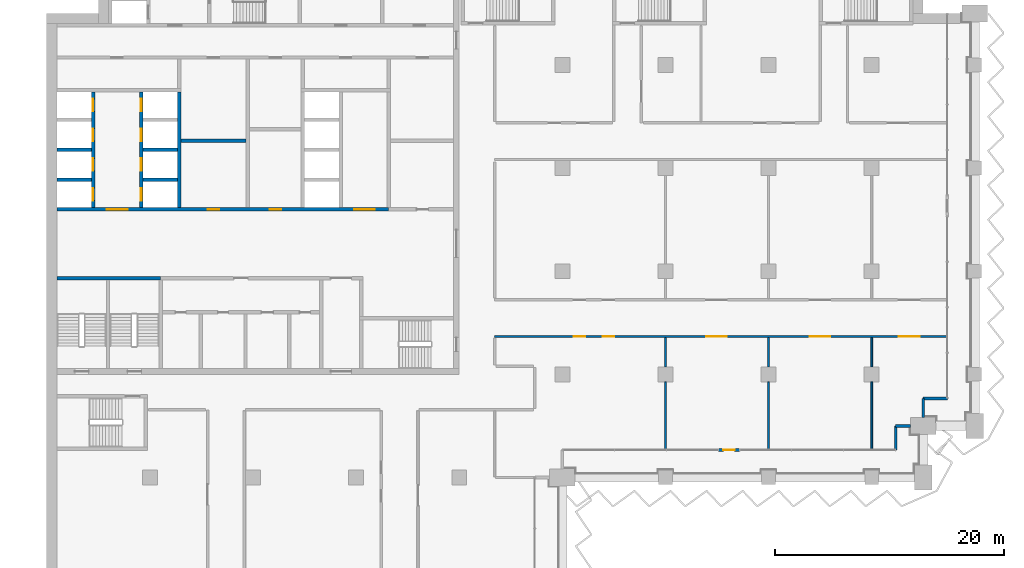
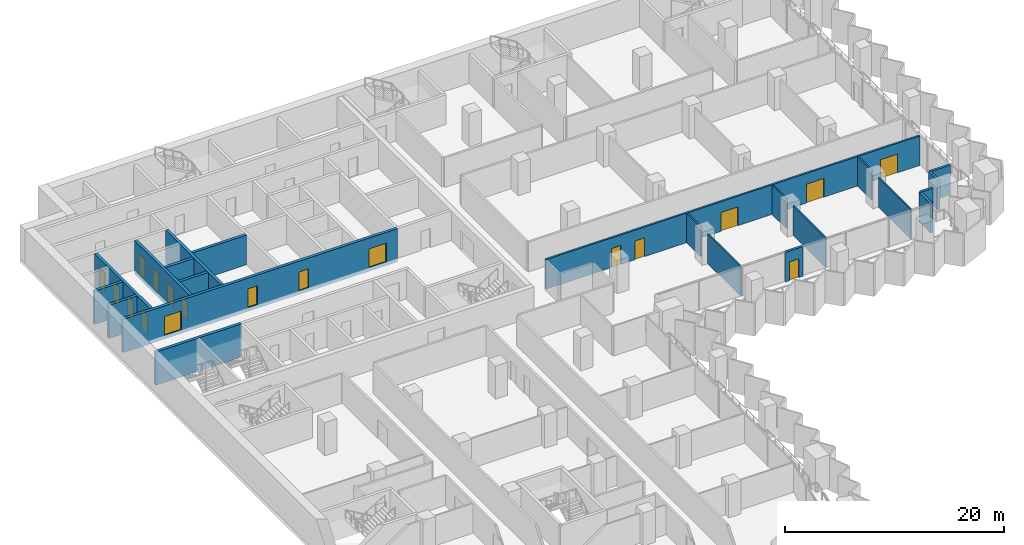
# One storey, part 12 of 22: 22 walls, 18 doors, 18 openings.
"""IFC4 building model written with IfcOpenShell, lengths in metres."""

from ifc_helpers import new_model, si_unit, direction, frame, frame_2d, origin, place, context, subcontext, project, spatial, rectangle, extrude, material, layer, layer_set, type_object, element, fill, save


model = new_model("IFC4")

# Units and contexts
model_context = context("Model", 3, precision=1e-05, world=origin(), true_north=direction((0.0, 1.0)))
body_context = subcontext(model_context, "Body", "Model", "MODEL_VIEW")
ifc_project = project(units=[si_unit("LENGTHUNIT", "METRE"), si_unit("AREAUNIT", "SQUARE_METRE"), si_unit("VOLUMEUNIT", "CUBIC_METRE"), si_unit("PLANEANGLEUNIT", "RADIAN"), si_unit("MASSUNIT", "GRAM", prefix="KILO")], contexts=[model_context])

# Site, building, storey
site_placement = place(None, origin())
site = spatial("IfcSite", under=ifc_project, at=site_placement, CompositionType="ELEMENT")
building_placement = place(site_placement, origin())
building = spatial("IfcBuilding", under=site, at=building_placement, Name="Hunhe Ridgeline Campus", CompositionType="ELEMENT")
storey_placement = place(building_placement, frame((0.0, 0.0, 118.10009765625)))
storey = spatial("IfcBuildingStorey", under=building, at=storey_placement, Name="L29", CompositionType="ELEMENT", Elevation=118.10009765625)

# Walls
ifc_material_1 = material(Name="Masonry concrete blockwork", Category="masonry")
ifc_layer_1 = layer(ifc_material_1, 0.300048828125)
ifc_layer_set_1 = layer_set([ifc_layer_1], Name="Core room partition 300 concrete block")
wall_type_1 = type_object("IfcWallType", Name="Core room partition 300 concrete block", PredefinedType="PARTITIONING", material=ifc_layer_set_1)
wall_1_placement = place(storey_placement, frame((11.699951171875, 83.39990234375, 0.0), z_axis=(0.0, 0.0, 1.0), x_axis=(1.0, 0.0, 0.0)))
element("IfcWall", 1, at=wall_1_placement, inside=storey, type_object=wall_type_1, Name="L29 core partition 20", PredefinedType="PARTITIONING", context=body_context, shape_type="SweptSolid", body=[
    extrude(rectangle(XDim=5.699951171875, YDim=0.300048828125, at=frame_2d((2.85009765625, 0.0))), origin(), (0.0, 0.0, 1.0), 3.2998046875),
])
ifc_material_2 = material(Name="Concrete C30", Category="concrete")
ifc_layer_2 = layer(ifc_material_2, 0.25)
ifc_layer_set_2 = layer_set([ifc_layer_2], Name="Corner return wall 250 Concrete C30")
wall_type_2 = type_object("IfcWallType", Name="Corner return wall 250 Concrete C30", PredefinedType="SOLIDWALL", material=ifc_layer_set_2)
wall_2_placement = place(storey_placement, frame((74.09912109375, 56.40087890625, 0.0), z_axis=(0.0, 0.0, 1.0), x_axis=(0.00011626555, 0.999999993241, 0.0)))
element("IfcWall", 2, at=wall_2_placement, inside=storey, type_object=wall_type_2, Name="Corner return wall 4", PredefinedType="SOLIDWALL", context=body_context, shape_type="SweptSolid", body=[
    extrude(rectangle(XDim=2.099853515625, YDim=0.25, at=frame_2d((1.0498046875, 0.0))), origin(), (0.0, 0.0, 1.0), 3.2998046875),
])
wall_3_placement = place(storey_placement, frame((74.099365234375, 58.500732421875, 0.0), z_axis=(0.0, 0.0, 1.0), x_axis=(0.99999998238, 0.000187722918, 0.0)))
element("IfcWall", 3, at=wall_3_placement, inside=storey, type_object=wall_type_2, Name="Corner return wall 5", PredefinedType="SOLIDWALL", context=body_context, shape_type="SweptSolid", body=[
    extrude(rectangle(XDim=1.300537109375, YDim=0.25, at=frame_2d((0.650390625, 0.0))), origin(), (0.0, 0.0, 1.0), 3.2998046875),
])
wall_4_placement = place(storey_placement, frame((76.4990234375, 59.25, 0.0), z_axis=(0.0, 0.0, 1.0), x_axis=(0.000147907113, 0.999999989062, 0.0)))
element("IfcWall", 4, at=wall_4_placement, inside=storey, type_object=wall_type_2, Name="Corner return wall 6", PredefinedType="SOLIDWALL", context=body_context, shape_type="SweptSolid", body=[
    extrude(rectangle(XDim=1.650634765625, YDim=0.25, at=frame_2d((0.8251953125, 0.0))), origin(), (0.0, 0.0, 1.0), 3.2998046875),
])
wall_5_placement = place(storey_placement, frame((76.499267578125, 60.900634765625, 0.0), z_axis=(0.0, 0.0, 1.0), x_axis=(0.999999993241, 0.00011626555, 0.0)))
element("IfcWall", 5, at=wall_5_placement, inside=storey, type_object=wall_type_2, Name="Corner return wall 7", PredefinedType="SOLIDWALL", context=body_context, shape_type="SweptSolid", body=[
    extrude(rectangle(XDim=2.099853515625, YDim=0.25, at=frame_2d((1.0498046875, 0.0))), origin(), (0.0, 0.0, 1.0), 3.2998046875),
])

# Wall, openings, doors
ifc_material_3 = material(Name="Gypsum board partition")
ifc_layer_3 = layer(ifc_material_3, 0.199951171875)
ifc_layer_set_3 = layer_set([ifc_layer_3], Name="Corridor partition 200 gypsum board on steel studs")
wall_type_3 = type_object("IfcWallType", Name="Corridor partition 200 gypsum board on steel studs", PredefinedType="PARTITIONING", material=ifc_layer_set_3)
wall_6_placement = place(storey_placement, frame((78.544921875, 66.300048828125, 0.0), z_axis=(0.0, 0.0, 1.0), x_axis=(-1.0, 0.0, 0.0)))
wall_6 = element("IfcWall", 6, at=wall_6_placement, inside=storey, type_object=wall_type_3, Name="F-L29-wall-035", PredefinedType="PARTITIONING", context=body_context, shape_type="SweptSolid", body=[
    extrude(rectangle(XDim=39.44482421875, YDim=0.199951171875, at=frame_2d((19.722412109375, 0.0))), origin(), (0.0, 0.0, 1.0), 3.2998046875),
])
opening_1_placement = place(wall_6_placement, frame((31.533447265625, 0.0, 0.0)))
opening_1 = element("IfcOpeningElement", 7, at=opening_1_placement, cuts=wall_6, Name="Opening RD1-019", PredefinedType="OPENING", context=body_context, shape_type="SweptSolid", body=[
    extrude(rectangle(XDim=1.0, YDim=2.10009765625, at=frame_2d((0.5, 1.050048828125))), frame((0.0, 0.10009765625, 0.0), z_axis=(0.0, -1.0, 0.0), x_axis=(1.0, 0.0, 0.0)), (0.0, 0.0, 1.0), 0.199951171875),
])
opening_2_placement = place(wall_6_placement, frame((29.033447265625, 0.0, 0.0)))
opening_2 = element("IfcOpeningElement", 8, at=opening_2_placement, cuts=wall_6, Name="Opening RD1-020", PredefinedType="OPENING", context=body_context, shape_type="SweptSolid", body=[
    extrude(rectangle(XDim=1.0, YDim=2.10009765625, at=frame_2d((0.5, 1.050048828125))), frame((0.0, 0.10009765625, 0.0), z_axis=(0.0, -1.0, 0.0), x_axis=(1.0, 0.0, 0.0)), (0.0, 0.0, 1.0), 0.199951171875),
])
opening_3_placement = place(wall_6_placement, frame((19.199462890625, 0.0, 0.0)))
opening_3 = element("IfcOpeningElement", 9, at=opening_3_placement, cuts=wall_6, Name="Opening RD2-021", PredefinedType="OPENING", context=body_context, shape_type="SweptSolid", body=[
    extrude(rectangle(XDim=1.800048828125, YDim=2.10009765625, at=frame_2d((0.89990234375, 1.050048828125))), frame((0.0, 0.10009765625, 0.0), z_axis=(0.0, -1.0, 0.0), x_axis=(1.0, 0.0, 0.0)), (0.0, 0.0, 1.0), 0.199951171875),
])
opening_4_placement = place(wall_6_placement, frame((10.154541015625, 0.0, 0.0)))
opening_4 = element("IfcOpeningElement", 10, at=opening_4_placement, cuts=wall_6, Name="Opening RD2-022", PredefinedType="OPENING", context=body_context, shape_type="SweptSolid", body=[
    extrude(rectangle(XDim=1.800048828125, YDim=2.10009765625, at=frame_2d((0.89990234375, 1.050048828125))), frame((0.0, 0.10009765625, 0.0), z_axis=(0.0, -1.0, 0.0), x_axis=(1.0, 0.0, 0.0)), (0.0, 0.0, 1.0), 0.199951171875),
])
opening_5_placement = place(wall_6_placement, frame((2.3662109375, 0.0, 0.0)))
opening_5 = element("IfcOpeningElement", 11, at=opening_5_placement, cuts=wall_6, Name="Opening RD2-023", PredefinedType="OPENING", context=body_context, shape_type="SweptSolid", body=[
    extrude(rectangle(XDim=1.800048828125, YDim=2.10009765625, at=frame_2d((0.89990234375, 1.050048828125))), frame((0.0, 0.10009765625, 0.0), z_axis=(0.0, -1.0, 0.0), x_axis=(1.0, 0.0, 0.0)), (0.0, 0.0, 1.0), 0.199951171875),
])
ifc_material_4 = material(Name="Timber door leaf", Category="wood")
door_type_1 = type_object("IfcDoorType", Name="Double fire door 1800x2100 timber FD60", OperationType="DOUBLE_DOOR_SINGLE_SWING", PredefinedType="DOOR", material=ifc_material_4)
door_1_placement = place(opening_3_placement, origin())
door_1 = element("IfcDoor", 12, at=door_1_placement, inside=storey, type_object=door_type_1, Name="F-L29-door-021", OperationType="DOUBLE_DOOR_SINGLE_SWING", OverallHeight=2.10009765625, OverallWidth=1.800048828125, PredefinedType="DOOR", context=body_context, shape_type="SweptSolid", body=[
    extrude(rectangle(XDim=1.800048828125, YDim=2.10009765625, at=frame_2d((0.89990234375, 1.050048828125))), frame((0.0, 0.02490234375, 0.0), z_axis=(0.0, -1.0, 0.0), x_axis=(1.0, 0.0, 0.0)), (0.0, 0.0, 1.0), 0.050048828125),
])
fill(opening_3, door_1)
door_2_placement = place(opening_4_placement, origin())
door_2 = element("IfcDoor", 13, at=door_2_placement, inside=storey, type_object=door_type_1, Name="F-L29-door-022", OperationType="DOUBLE_DOOR_SINGLE_SWING", OverallHeight=2.10009765625, OverallWidth=1.800048828125, PredefinedType="DOOR", context=body_context, shape_type="SweptSolid", body=[
    extrude(rectangle(XDim=1.800048828125, YDim=2.10009765625, at=frame_2d((0.89990234375, 1.050048828125))), frame((0.0, 0.02490234375, 0.0), z_axis=(0.0, -1.0, 0.0), x_axis=(1.0, 0.0, 0.0)), (0.0, 0.0, 1.0), 0.050048828125),
])
fill(opening_4, door_2)
door_3_placement = place(opening_5_placement, origin())
door_3 = element("IfcDoor", 14, at=door_3_placement, inside=storey, type_object=door_type_1, Name="F-L29-door-023", OperationType="DOUBLE_DOOR_SINGLE_SWING", OverallHeight=2.10009765625, OverallWidth=1.800048828125, PredefinedType="DOOR", context=body_context, shape_type="SweptSolid", body=[
    extrude(rectangle(XDim=1.800048828125, YDim=2.10009765625, at=frame_2d((0.89990234375, 1.050048828125))), frame((0.0, 0.02490234375, 0.0), z_axis=(0.0, -1.0, 0.0), x_axis=(1.0, 0.0, 0.0)), (0.0, 0.0, 1.0), 0.050048828125),
])
fill(opening_5, door_3)
door_type_2 = type_object("IfcDoorType", Name="Single fire door 1000x2100 timber FD60", OperationType="NOTDEFINED", PredefinedType="DOOR", material=ifc_material_4)
door_4_placement = place(opening_1_placement, frame((1.0, 0.0, 0.0), z_axis=(0.0, 0.0, 1.0), x_axis=(-1.0, 0.0, 0.0)))
door_4 = element("IfcDoor", 15, at=door_4_placement, inside=storey, type_object=door_type_2, Name="F-L29-door-019", OperationType="SINGLE_SWING_LEFT", OverallHeight=2.10009765625, OverallWidth=1.0, PredefinedType="DOOR", context=body_context, shape_type="SweptSolid", body=[
    extrude(rectangle(XDim=1.0, YDim=2.10009765625, at=frame_2d((0.5, 1.050048828125))), frame((0.0, 0.02490234375, 0.0), z_axis=(0.0, -1.0, 0.0), x_axis=(1.0, 0.0, 0.0)), (0.0, 0.0, 1.0), 0.050048828125),
])
fill(opening_1, door_4)
door_5_placement = place(opening_2_placement, frame((1.0, 0.0, 0.0), z_axis=(0.0, 0.0, 1.0), x_axis=(-1.0, 0.0, 0.0)))
door_5 = element("IfcDoor", 16, at=door_5_placement, inside=storey, type_object=door_type_2, Name="F-L29-door-020", OperationType="SINGLE_SWING_RIGHT", OverallHeight=2.10009765625, OverallWidth=1.0, PredefinedType="DOOR", context=body_context, shape_type="SweptSolid", body=[
    extrude(rectangle(XDim=1.0, YDim=2.10009765625, at=frame_2d((0.5, 1.050048828125))), frame((0.0, 0.02490234375, 0.0), z_axis=(0.0, -1.0, 0.0), x_axis=(1.0, 0.0, 0.0)), (0.0, 0.0, 1.0), 0.050048828125),
])
fill(opening_2, door_5)

# Wall, opening, door
ifc_layer_4 = layer(ifc_material_2, 0.25)
ifc_layer_set_4 = layer_set([ifc_layer_4], Name="Loggia door pier wall 250 Concrete C30")
wall_type_4 = type_object("IfcWallType", Name="Loggia door pier wall 250 Concrete C30", PredefinedType="SOLIDWALL", material=ifc_layer_set_4)
wall_7_placement = place(storey_placement, frame((58.6494140625, 56.40087890625, 0.0), z_axis=(0.0, 0.0, 1.0), x_axis=(1.0, 0.0, 0.0)))
wall_7 = element("IfcWall", 17, at=wall_7_placement, inside=storey, type_object=wall_type_4, Name="Loggia door pier 3", PredefinedType="SOLIDWALL", context=body_context, shape_type="SweptSolid", body=[
    extrude(rectangle(XDim=1.800048828125, YDim=0.25, at=frame_2d((0.89990234375, 0.0))), origin(), (0.0, 0.0, 1.0), 3.2998046875),
])
opening_6_placement = place(wall_7_placement, frame((0.39990234375, 0.0, 0.0)))
opening_6 = element("IfcOpeningElement", 18, at=opening_6_placement, cuts=wall_7, Name="Opening BD206", PredefinedType="OPENING", context=body_context, shape_type="SweptSolid", body=[
    extrude(rectangle(XDim=1.0, YDim=2.10009765625, at=frame_2d((0.5, 1.050048828125))), frame((0.0, 0.125, 0.0), z_axis=(0.0, -1.0, 0.0), x_axis=(1.0, 0.0, 0.0)), (0.0, 0.0, 1.0), 0.25),
])
ifc_material_5 = material(Name="Aluminium 6063", Category="aluminium")
door_type_3 = type_object("IfcDoorType", Name="Loggia glazed door 1000x2100", OperationType="NOTDEFINED", PredefinedType="DOOR", material=ifc_material_5)
door_6_placement = place(opening_6_placement, frame((1.0, 0.0, 0.0), z_axis=(0.0, 0.0, 1.0), x_axis=(-1.0, 0.0, 0.0)))
door_6 = element("IfcDoor", 19, at=door_6_placement, inside=storey, type_object=door_type_3, Name="Loggia door BD206", OperationType="SINGLE_SWING_LEFT", OverallHeight=2.10009765625, OverallWidth=1.0, PredefinedType="DOOR", context=body_context, shape_type="SweptSolid", body=[
    extrude(rectangle(XDim=1.0, YDim=2.10009765625, at=frame_2d((0.5, 1.050048828125))), frame((0.0, 0.02490234375, 0.0), z_axis=(0.0, -1.0, 0.0), x_axis=(1.0, 0.0, 0.0)), (0.0, 0.0, 1.0), 0.050048828125),
])
fill(opening_6, door_6)

# Walls
ifc_layer_5 = layer(ifc_material_3, 0.14990234375)
ifc_layer_set_5 = layer_set([ifc_layer_5], Name="Room partition 150 gypsum board on steel studs")
wall_type_5 = type_object("IfcWallType", Name="Room partition 150 gypsum board on steel studs", PredefinedType="PARTITIONING", material=ifc_layer_set_5)
wall_8_placement = place(storey_placement, frame((54.0, 62.35009765625, 0.0), z_axis=(0.0, 0.0, 1.0), x_axis=(0.0, -1.0, 0.0)))
element("IfcWall", 20, at=wall_8_placement, inside=storey, type_object=wall_type_5, Name="F-L29-wall-056", PredefinedType="PARTITIONING", context=body_context, shape_type="SweptSolid", body=[
    extrude(rectangle(XDim=5.89501953125, YDim=0.14990234375, at=frame_2d((2.947509765625, 0.0))), origin(), (0.0, 0.0, 1.0), 3.2998046875),
])
wall_9_placement = place(storey_placement, frame((54.0, 66.199951171875, 0.0), z_axis=(0.0, 0.0, 1.0), x_axis=(0.0, -1.0, 0.0)))
element("IfcWall", 21, at=wall_9_placement, inside=storey, type_object=wall_type_5, Name="F-L29-wall-057", PredefinedType="PARTITIONING", context=body_context, shape_type="SweptSolid", body=[
    extrude(rectangle(XDim=2.550048828125, YDim=0.14990234375, at=frame_2d((1.27490234375, 0.0))), origin(), (0.0, 0.0, 1.0), 3.2998046875),
])
wall_10_placement = place(storey_placement, frame((63.0, 62.35009765625, 0.0), z_axis=(0.0, 0.0, 1.0), x_axis=(0.0, -1.0, 0.0)))
element("IfcWall", 22, at=wall_10_placement, inside=storey, type_object=wall_type_5, Name="F-L29-wall-061", PredefinedType="PARTITIONING", context=body_context, shape_type="SweptSolid", body=[
    extrude(rectangle(XDim=5.89501953125, YDim=0.14990234375, at=frame_2d((2.947509765625, 0.0))), origin(), (0.0, 0.0, 1.0), 3.2998046875),
])
wall_11_placement = place(storey_placement, frame((63.0, 66.199951171875, 0.0), z_axis=(0.0, 0.0, 1.0), x_axis=(0.0, -1.0, 0.0)))
element("IfcWall", 23, at=wall_11_placement, inside=storey, type_object=wall_type_5, Name="F-L29-wall-062", PredefinedType="PARTITIONING", context=body_context, shape_type="SweptSolid", body=[
    extrude(rectangle(XDim=2.550048828125, YDim=0.14990234375, at=frame_2d((1.27490234375, 0.0))), origin(), (0.0, 0.0, 1.0), 3.2998046875),
])
wall_12_placement = place(storey_placement, frame((72.0, 62.35009765625, 0.0), z_axis=(0.0, 0.0, 1.0), x_axis=(0.0, -1.0, 0.0)))
element("IfcWall", 24, at=wall_12_placement, inside=storey, type_object=wall_type_5, Name="F-L29-wall-067", PredefinedType="PARTITIONING", context=body_context, shape_type="SweptSolid", body=[
    extrude(rectangle(XDim=5.89501953125, YDim=0.14990234375, at=frame_2d((2.947509765625, 0.0))), origin(), (0.0, 0.0, 1.0), 3.2998046875),
])
wall_13_placement = place(storey_placement, frame((72.0, 66.199951171875, 0.0), z_axis=(0.0, 0.0, 1.0), x_axis=(0.0, -1.0, 0.0)))
element("IfcWall", 25, at=wall_13_placement, inside=storey, type_object=wall_type_5, Name="F-L29-wall-068", PredefinedType="PARTITIONING", context=body_context, shape_type="SweptSolid", body=[
    extrude(rectangle(XDim=2.550048828125, YDim=0.14990234375, at=frame_2d((1.27490234375, 0.0))), origin(), (0.0, 0.0, 1.0), 3.2998046875),
])

# Wall, openings, doors
ifc_material_6 = material(Name="Concrete C80", Category="concrete")
ifc_layer_6 = layer(ifc_material_6, 0.300048828125)
ifc_layer_set_6 = layer_set([ifc_layer_6], Name="Shaft wall 300 reinforced concrete C80")
wall_type_6 = type_object("IfcWallType", Name="Shaft wall 300 reinforced concrete C80", PredefinedType="SOLIDWALL", material=ifc_layer_set_6)
wall_14_placement = place(storey_placement, frame((0.89990234375, 77.39990234375, -0.400146484375), z_axis=(0.0, 0.0, 1.0), x_axis=(1.0, 0.0, 0.0)))
wall_14 = element("IfcWall", 26, at=wall_14_placement, inside=storey, type_object=wall_type_6, Name="L29 core wall 12", PredefinedType="SOLIDWALL", context=body_context, shape_type="SweptSolid", body=[
    extrude(rectangle(XDim=28.9501953125, YDim=0.300048828125, at=frame_2d((14.47509765625, 0.0))), origin(), (0.0, 0.0, 1.0), 3.699951171875),
])
opening_7_placement = place(wall_14_placement, frame((4.35009765625, 0.0, 0.39990234375)))
opening_7 = element("IfcOpeningElement", 27, at=opening_7_placement, cuts=wall_14, Name="Opening CD1", PredefinedType="OPENING", context=body_context, shape_type="SweptSolid", body=[
    extrude(rectangle(XDim=1.800048828125, YDim=2.10009765625, at=frame_2d((0.89990234375, 1.050048828125))), frame((0.0, 0.14990234375, 0.0), z_axis=(0.0, -1.0, 0.0), x_axis=(1.0, 0.0, 0.0)), (0.0, 0.0, 1.0), 0.300048828125),
])
opening_8_placement = place(wall_14_placement, frame((25.949951171875, 0.0, 0.39990234375)))
opening_8 = element("IfcOpeningElement", 28, at=opening_8_placement, cuts=wall_14, Name="Opening CD2", PredefinedType="OPENING", context=body_context, shape_type="SweptSolid", body=[
    extrude(rectangle(XDim=1.800048828125, YDim=2.10009765625, at=frame_2d((0.89990234375, 1.050048828125))), frame((0.0, 0.14990234375, 0.0), z_axis=(0.0, -1.0, 0.0), x_axis=(1.0, 0.0, 0.0)), (0.0, 0.0, 1.0), 0.300048828125),
])
opening_9_placement = place(wall_14_placement, frame((13.14990234375, 0.0, 0.39990234375)))
opening_9 = element("IfcOpeningElement", 29, at=opening_9_placement, cuts=wall_14, Name="Opening CD28", PredefinedType="OPENING", context=body_context, shape_type="SweptSolid", body=[
    extrude(rectangle(XDim=1.0, YDim=2.10009765625, at=frame_2d((0.5, 1.050048828125))), frame((0.0, 0.14990234375, 0.0), z_axis=(0.0, -1.0, 0.0), x_axis=(1.0, 0.0, 0.0)), (0.0, 0.0, 1.0), 0.300048828125),
])
opening_10_placement = place(wall_14_placement, frame((18.550048828125, 0.0, 0.39990234375)))
opening_10 = element("IfcOpeningElement", 30, at=opening_10_placement, cuts=wall_14, Name="Opening CD30", PredefinedType="OPENING", context=body_context, shape_type="SweptSolid", body=[
    extrude(rectangle(XDim=1.0, YDim=2.10009765625, at=frame_2d((0.5, 1.050048828125))), frame((0.0, 0.14990234375, 0.0), z_axis=(0.0, -1.0, 0.0), x_axis=(1.0, 0.0, 0.0)), (0.0, 0.0, 1.0), 0.300048828125),
])
ifc_material_7 = material(Name="Hollow metal fire door leaf")
door_type_4 = type_object("IfcDoorType", Name="Lobby door 1800x2100 FD60", OperationType="SINGLE_SWING_LEFT", PredefinedType="DOOR", material=ifc_material_7)
door_7_placement = place(opening_7_placement, frame((1.800048828125, 0.0, 0.0), z_axis=(0.0, 0.0, 1.0), x_axis=(-1.0, 0.0, 0.0)))
door_7 = element("IfcDoor", 31, at=door_7_placement, inside=storey, type_object=door_type_4, Name="L29 door LOB-LR", OperationType="SINGLE_SWING_RIGHT", OverallHeight=2.10009765625, OverallWidth=1.800048828125, PredefinedType="DOOR", context=body_context, shape_type="SweptSolid", body=[
    extrude(rectangle(XDim=1.800048828125, YDim=2.10009765625, at=frame_2d((0.89990234375, 1.050048828125))), frame((0.0, 0.02490234375, 0.0), z_axis=(0.0, -1.0, 0.0), x_axis=(1.0, 0.0, 0.0)), (0.0, 0.0, 1.0), 0.050048828125),
])
fill(opening_7, door_7)
door_8_placement = place(opening_8_placement, frame((1.800048828125, 0.0, 0.0), z_axis=(0.0, 0.0, 1.0), x_axis=(-1.0, 0.0, 0.0)))
door_8 = element("IfcDoor", 32, at=door_8_placement, inside=storey, type_object=door_type_4, Name="L29 door LOB-SH", OperationType="SINGLE_SWING_LEFT", OverallHeight=2.10009765625, OverallWidth=1.800048828125, PredefinedType="DOOR", context=body_context, shape_type="SweptSolid", body=[
    extrude(rectangle(XDim=1.800048828125, YDim=2.10009765625, at=frame_2d((0.89990234375, 1.050048828125))), frame((0.0, 0.02490234375, 0.0), z_axis=(0.0, -1.0, 0.0), x_axis=(1.0, 0.0, 0.0)), (0.0, 0.0, 1.0), 0.050048828125),
])
fill(opening_8, door_8)
ifc_material_8 = material(Name="Solid core timber door leaf", Category="wood")
door_type_5 = type_object("IfcDoorType", Name="Timber door 1000x2100", OperationType="SINGLE_SWING_LEFT", PredefinedType="DOOR", material=ifc_material_8)
door_9_placement = place(opening_9_placement, origin())
door_9 = element("IfcDoor", 33, at=door_9_placement, inside=storey, type_object=door_type_5, Name="L29 door VD-HR0", OperationType="SINGLE_SWING_LEFT", OverallHeight=2.10009765625, OverallWidth=1.0, PredefinedType="DOOR", context=body_context, shape_type="SweptSolid", body=[
    extrude(rectangle(XDim=1.0, YDim=2.10009765625, at=frame_2d((0.5, 1.050048828125))), frame((0.0, 0.02490234375, 0.0), z_axis=(0.0, -1.0, 0.0), x_axis=(1.0, 0.0, 0.0)), (0.0, 0.0, 1.0), 0.050048828125),
])
fill(opening_9, door_9)
door_10_placement = place(opening_10_placement, origin())
door_10 = element("IfcDoor", 34, at=door_10_placement, inside=storey, type_object=door_type_5, Name="L29 door VD-HR2", OperationType="SINGLE_SWING_LEFT", OverallHeight=2.10009765625, OverallWidth=1.0, PredefinedType="DOOR", context=body_context, shape_type="SweptSolid", body=[
    extrude(rectangle(XDim=1.0, YDim=2.10009765625, at=frame_2d((0.5, 1.050048828125))), frame((0.0, 0.02490234375, 0.0), z_axis=(0.0, -1.0, 0.0), x_axis=(1.0, 0.0, 0.0)), (0.0, 0.0, 1.0), 0.050048828125),
])
fill(opening_10, door_10)

# Walls
for number, where, z_axis, x_axis, name in (
    (35, (0.89990234375, 80.0, -0.400146484375), (0.0, 0.0, 1.0), (1.0, 0.0, 0.0), "L29 core wall 14"),
    (36, (8.39990234375, 80.0, -0.400146484375), (0.0, 0.0, 1.0), (1.0, 0.0, 0.0), "L29 core wall 15"),
    (37, (0.89990234375, 82.60009765625, -0.400146484375), (0.0, 0.0, 1.0), (1.0, 0.0, 0.0), "L29 core wall 17"),
    (38, (8.39990234375, 82.60009765625, -0.400146484375), (0.0, 0.0, 1.0), (1.0, 0.0, 0.0), "L29 core wall 18"),
):
    element("IfcWall", number, at=place(storey_placement, frame(where, z_axis=z_axis, x_axis=x_axis)), inside=storey, type_object=wall_type_6, Name=name, PredefinedType="SOLIDWALL", context=body_context, shape_type="SweptSolid", body=[
        extrude(rectangle(XDim=3.0, YDim=0.300048828125, at=frame_2d((1.5, 0.0))), origin(), (0.0, 0.0, 1.0), 3.699951171875),
    ])

# Wall, openings, doors
wall_15_placement = place(storey_placement, frame((4.050048828125, 77.550048828125, -0.400146484375), z_axis=(0.0, 0.0, 1.0), x_axis=(0.0, 1.0, 0.0)))
wall_15 = element("IfcWall", 39, at=wall_15_placement, inside=storey, type_object=wall_type_6, Name="L29 core wall 34", PredefinedType="SOLIDWALL", context=body_context, shape_type="SweptSolid", body=[
    extrude(rectangle(XDim=10.099853515625, YDim=0.300048828125, at=frame_2d((5.0498046875, 0.0))), origin(), (0.0, 0.0, 1.0), 3.699951171875),
])
opening_11_placement = place(wall_15_placement, frame((0.60009765625, 0.0, 0.39990234375)))
opening_11 = element("IfcOpeningElement", 40, at=opening_11_placement, cuts=wall_15, Name="Opening LD-LR1", PredefinedType="OPENING", context=body_context, shape_type="SweptSolid", body=[
    extrude(rectangle(XDim=1.10009765625, YDim=2.10009765625, at=frame_2d((0.550048828125, 1.050048828125))), frame((0.0, 0.14990234375, 0.0), z_axis=(0.0, -1.0, 0.0), x_axis=(1.0, 0.0, 0.0)), (0.0, 0.0, 1.0), 0.300048828125),
])
opening_12_placement = place(wall_15_placement, frame((3.199951171875, 0.0, 0.39990234375)))
opening_12 = element("IfcOpeningElement", 41, at=opening_12_placement, cuts=wall_15, Name="Opening LD-LR2", PredefinedType="OPENING", context=body_context, shape_type="SweptSolid", body=[
    extrude(rectangle(XDim=1.10009765625, YDim=2.10009765625, at=frame_2d((0.550048828125, 1.050048828125))), frame((0.0, 0.14990234375, 0.0), z_axis=(0.0, -1.0, 0.0), x_axis=(1.0, 0.0, 0.0)), (0.0, 0.0, 1.0), 0.300048828125),
])
opening_13_placement = place(wall_15_placement, frame((5.800048828125, 0.0, 0.39990234375)))
opening_13 = element("IfcOpeningElement", 42, at=opening_13_placement, cuts=wall_15, Name="Opening LD-LR3", PredefinedType="OPENING", context=body_context, shape_type="SweptSolid", body=[
    extrude(rectangle(XDim=1.10009765625, YDim=2.10009765625, at=frame_2d((0.550048828125, 1.050048828125))), frame((0.0, 0.14990234375, 0.0), z_axis=(0.0, -1.0, 0.0), x_axis=(1.0, 0.0, 0.0)), (0.0, 0.0, 1.0), 0.300048828125),
])
opening_14_placement = place(wall_15_placement, frame((8.39990234375, 0.0, 0.39990234375)))
opening_14 = element("IfcOpeningElement", 43, at=opening_14_placement, cuts=wall_15, Name="Opening LD-LR4", PredefinedType="OPENING", context=body_context, shape_type="SweptSolid", body=[
    extrude(rectangle(XDim=1.10009765625, YDim=2.10009765625, at=frame_2d((0.550048828125, 1.050048828125))), frame((0.0, 0.14990234375, 0.0), z_axis=(0.0, -1.0, 0.0), x_axis=(1.0, 0.0, 0.0)), (0.0, 0.0, 1.0), 0.300048828125),
])
ifc_material_9 = material(Name="Stainless steel sliding leaves", Category="steel")
door_type_6 = type_object("IfcDoorType", Name="Landing door 1100x2100 FD120", OperationType="SLIDING_TO_LEFT", PredefinedType="DOOR", material=ifc_material_9)
door_11_placement = place(opening_11_placement, origin())
door_11 = element("IfcDoor", 44, at=door_11_placement, inside=storey, type_object=door_type_6, Name="L29 landing door LR1", OperationType="SLIDING_TO_RIGHT", OverallHeight=2.10009765625, OverallWidth=1.10009765625, PredefinedType="DOOR", context=body_context, shape_type="SweptSolid", body=[
    extrude(rectangle(XDim=1.10009765625, YDim=2.10009765625, at=frame_2d((0.550048828125, 1.050048828125))), frame((0.0, 0.02490234375, 0.0), z_axis=(0.0, -1.0, 0.0), x_axis=(1.0, 0.0, 0.0)), (0.0, 0.0, 1.0), 0.050048828125),
])
fill(opening_11, door_11)
door_12_placement = place(opening_12_placement, origin())
door_12 = element("IfcDoor", 45, at=door_12_placement, inside=storey, type_object=door_type_6, Name="L29 landing door LR2", OperationType="SLIDING_TO_LEFT", OverallHeight=2.10009765625, OverallWidth=1.10009765625, PredefinedType="DOOR", context=body_context, shape_type="SweptSolid", body=[
    extrude(rectangle(XDim=1.10009765625, YDim=2.10009765625, at=frame_2d((0.550048828125, 1.050048828125))), frame((0.0, 0.02490234375, 0.0), z_axis=(0.0, -1.0, 0.0), x_axis=(1.0, 0.0, 0.0)), (0.0, 0.0, 1.0), 0.050048828125),
])
fill(opening_12, door_12)
door_13_placement = place(opening_13_placement, origin())
door_13 = element("IfcDoor", 46, at=door_13_placement, inside=storey, type_object=door_type_6, Name="L29 landing door LR3", OperationType="SLIDING_TO_RIGHT", OverallHeight=2.10009765625, OverallWidth=1.10009765625, PredefinedType="DOOR", context=body_context, shape_type="SweptSolid", body=[
    extrude(rectangle(XDim=1.10009765625, YDim=2.10009765625, at=frame_2d((0.550048828125, 1.050048828125))), frame((0.0, 0.02490234375, 0.0), z_axis=(0.0, -1.0, 0.0), x_axis=(1.0, 0.0, 0.0)), (0.0, 0.0, 1.0), 0.050048828125),
])
fill(opening_13, door_13)
door_14_placement = place(opening_14_placement, origin())
door_14 = element("IfcDoor", 47, at=door_14_placement, inside=storey, type_object=door_type_6, Name="L29 landing door LR4", OperationType="SLIDING_TO_LEFT", OverallHeight=2.10009765625, OverallWidth=1.10009765625, PredefinedType="DOOR", context=body_context, shape_type="SweptSolid", body=[
    extrude(rectangle(XDim=1.10009765625, YDim=2.10009765625, at=frame_2d((0.550048828125, 1.050048828125))), frame((0.0, 0.02490234375, 0.0), z_axis=(0.0, -1.0, 0.0), x_axis=(1.0, 0.0, 0.0)), (0.0, 0.0, 1.0), 0.050048828125),
])
fill(opening_14, door_14)

wall_16_placement = place(storey_placement, frame((8.25, 77.550048828125, -0.400146484375), z_axis=(0.0, 0.0, 1.0), x_axis=(0.0, 1.0, 0.0)))
wall_16 = element("IfcWall", 48, at=wall_16_placement, inside=storey, type_object=wall_type_6, Name="L29 core wall 37", PredefinedType="SOLIDWALL", context=body_context, shape_type="SweptSolid", body=[
    extrude(rectangle(XDim=10.099853515625, YDim=0.300048828125, at=frame_2d((5.0498046875, 0.0))), origin(), (0.0, 0.0, 1.0), 3.699951171875),
])
opening_15_placement = place(wall_16_placement, frame((0.60009765625, 0.0, 0.39990234375)))
opening_15 = element("IfcOpeningElement", 49, at=opening_15_placement, cuts=wall_16, Name="Opening LD-LR5", PredefinedType="OPENING", context=body_context, shape_type="SweptSolid", body=[
    extrude(rectangle(XDim=1.10009765625, YDim=2.10009765625, at=frame_2d((0.550048828125, 1.050048828125))), frame((0.0, 0.14990234375, 0.0), z_axis=(0.0, -1.0, 0.0), x_axis=(1.0, 0.0, 0.0)), (0.0, 0.0, 1.0), 0.300048828125),
])
opening_16_placement = place(wall_16_placement, frame((3.199951171875, 0.0, 0.39990234375)))
opening_16 = element("IfcOpeningElement", 50, at=opening_16_placement, cuts=wall_16, Name="Opening LD-LR6", PredefinedType="OPENING", context=body_context, shape_type="SweptSolid", body=[
    extrude(rectangle(XDim=1.10009765625, YDim=2.10009765625, at=frame_2d((0.550048828125, 1.050048828125))), frame((0.0, 0.14990234375, 0.0), z_axis=(0.0, -1.0, 0.0), x_axis=(1.0, 0.0, 0.0)), (0.0, 0.0, 1.0), 0.300048828125),
])
opening_17_placement = place(wall_16_placement, frame((5.800048828125, 0.0, 0.39990234375)))
opening_17 = element("IfcOpeningElement", 51, at=opening_17_placement, cuts=wall_16, Name="Opening LD-LR7", PredefinedType="OPENING", context=body_context, shape_type="SweptSolid", body=[
    extrude(rectangle(XDim=1.10009765625, YDim=2.10009765625, at=frame_2d((0.550048828125, 1.050048828125))), frame((0.0, 0.14990234375, 0.0), z_axis=(0.0, -1.0, 0.0), x_axis=(1.0, 0.0, 0.0)), (0.0, 0.0, 1.0), 0.300048828125),
])
opening_18_placement = place(wall_16_placement, frame((8.39990234375, 0.0, 0.39990234375)))
opening_18 = element("IfcOpeningElement", 52, at=opening_18_placement, cuts=wall_16, Name="Opening LD-LR8", PredefinedType="OPENING", context=body_context, shape_type="SweptSolid", body=[
    extrude(rectangle(XDim=1.10009765625, YDim=2.10009765625, at=frame_2d((0.550048828125, 1.050048828125))), frame((0.0, 0.14990234375, 0.0), z_axis=(0.0, -1.0, 0.0), x_axis=(1.0, 0.0, 0.0)), (0.0, 0.0, 1.0), 0.300048828125),
])
door_15_placement = place(opening_15_placement, origin())
door_15 = element("IfcDoor", 53, at=door_15_placement, inside=storey, type_object=door_type_6, Name="L29 landing door LR5", OperationType="SLIDING_TO_RIGHT", OverallHeight=2.10009765625, OverallWidth=1.10009765625, PredefinedType="DOOR", context=body_context, shape_type="SweptSolid", body=[
    extrude(rectangle(XDim=1.10009765625, YDim=2.10009765625, at=frame_2d((0.550048828125, 1.050048828125))), frame((0.0, 0.02490234375, 0.0), z_axis=(0.0, -1.0, 0.0), x_axis=(1.0, 0.0, 0.0)), (0.0, 0.0, 1.0), 0.050048828125),
])
fill(opening_15, door_15)
door_16_placement = place(opening_16_placement, origin())
door_16 = element("IfcDoor", 54, at=door_16_placement, inside=storey, type_object=door_type_6, Name="L29 landing door LR6", OperationType="SLIDING_TO_LEFT", OverallHeight=2.10009765625, OverallWidth=1.10009765625, PredefinedType="DOOR", context=body_context, shape_type="SweptSolid", body=[
    extrude(rectangle(XDim=1.10009765625, YDim=2.10009765625, at=frame_2d((0.550048828125, 1.050048828125))), frame((0.0, 0.02490234375, 0.0), z_axis=(0.0, -1.0, 0.0), x_axis=(1.0, 0.0, 0.0)), (0.0, 0.0, 1.0), 0.050048828125),
])
fill(opening_16, door_16)
door_17_placement = place(opening_17_placement, origin())
door_17 = element("IfcDoor", 55, at=door_17_placement, inside=storey, type_object=door_type_6, Name="L29 landing door LR7", OperationType="SLIDING_TO_RIGHT", OverallHeight=2.10009765625, OverallWidth=1.10009765625, PredefinedType="DOOR", context=body_context, shape_type="SweptSolid", body=[
    extrude(rectangle(XDim=1.10009765625, YDim=2.10009765625, at=frame_2d((0.550048828125, 1.050048828125))), frame((0.0, 0.02490234375, 0.0), z_axis=(0.0, -1.0, 0.0), x_axis=(1.0, 0.0, 0.0)), (0.0, 0.0, 1.0), 0.050048828125),
])
fill(opening_17, door_17)
door_18_placement = place(opening_18_placement, origin())
door_18 = element("IfcDoor", 56, at=door_18_placement, inside=storey, type_object=door_type_6, Name="L29 landing door LR8", OperationType="SLIDING_TO_LEFT", OverallHeight=2.10009765625, OverallWidth=1.10009765625, PredefinedType="DOOR", context=body_context, shape_type="SweptSolid", body=[
    extrude(rectangle(XDim=1.10009765625, YDim=2.10009765625, at=frame_2d((0.550048828125, 1.050048828125))), frame((0.0, 0.02490234375, 0.0), z_axis=(0.0, -1.0, 0.0), x_axis=(1.0, 0.0, 0.0)), (0.0, 0.0, 1.0), 0.050048828125),
])
fill(opening_18, door_18)

# Walls
wall_17_placement = place(storey_placement, frame((11.550048828125, 77.550048828125, -0.400146484375), z_axis=(0.0, 0.0, 1.0), x_axis=(0.0, 1.0, 0.0)))
element("IfcWall", 57, at=wall_17_placement, inside=storey, type_object=wall_type_6, Name="L29 core wall 42", PredefinedType="SOLIDWALL", context=body_context, shape_type="SweptSolid", body=[
    extrude(rectangle(XDim=10.099853515625, YDim=0.300048828125, at=frame_2d((5.0498046875, 0.0))), origin(), (0.0, 0.0, 1.0), 3.699951171875),
])
ifc_layer_7 = layer(ifc_material_6, 0.300048828125)
ifc_layer_set_7 = layer_set([ifc_layer_7], Name="Stair wall 300 reinforced concrete C80")
wall_type_7 = type_object("IfcWallType", Name="Stair wall 300 reinforced concrete C80", PredefinedType="SOLIDWALL", material=ifc_layer_set_7)
wall_18_placement = place(storey_placement, frame((0.89990234375, 71.39990234375, -0.400146484375), z_axis=(0.0, 0.0, 1.0), x_axis=(1.0, 0.0, 0.0)))
element("IfcWall", 58, at=wall_18_placement, inside=storey, type_object=wall_type_7, Name="L29 core wall 10", PredefinedType="SOLIDWALL", context=body_context, shape_type="SweptSolid", body=[
    extrude(rectangle(XDim=9.050048828125, YDim=0.300048828125, at=frame_2d((4.52490234375, 0.0))), origin(), (0.0, 0.0, 1.0), 3.699951171875),
])

save(model, "model.ifc")
